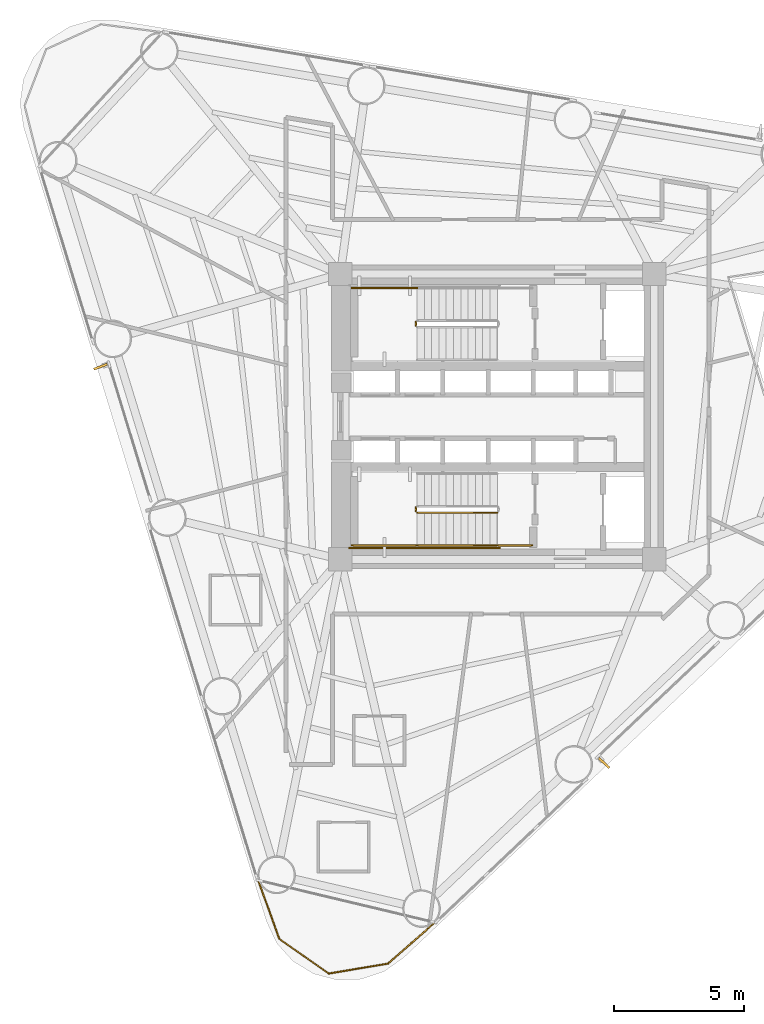
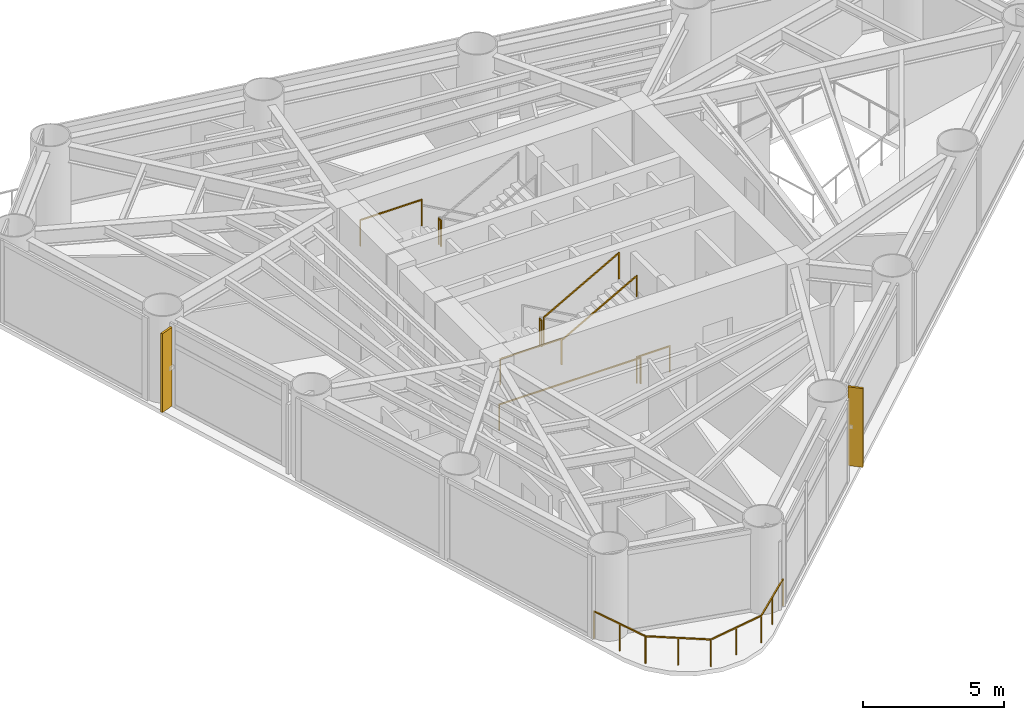
# One storey, part 8 of 10: 9 railings, 2 shading devices.
"""IFC4 building model written with IfcOpenShell, lengths in metres."""

from ifc_helpers import new_model, si_unit, direction, frame, origin, origin_2d, place, context, subcontext, project, spatial, rectangle, extrude, source, transform, mapped, material, material_profile, profile_set, type_object, element, save


model = new_model("IFC4")

# Units and contexts
model_context = context("Model", 3, precision=1e-05, world=origin(), true_north=direction((0.0, 1.0)))
body_context = subcontext(model_context, "Body", "Model", "MODEL_VIEW")
ifc_project = project(units=[si_unit("LENGTHUNIT", "METRE"), si_unit("AREAUNIT", "SQUARE_METRE"), si_unit("VOLUMEUNIT", "CUBIC_METRE"), si_unit("PLANEANGLEUNIT", "RADIAN"), si_unit("MASSUNIT", "GRAM", prefix="KILO")], contexts=[model_context])

# Site, building, storey
site_placement = place(None, origin())
site = spatial("IfcSite", under=ifc_project, at=site_placement, CompositionType="ELEMENT")
building_placement = place(site_placement, origin())
building = spatial("IfcBuilding", under=site, at=building_placement, Name="Yunling Apex Tower", CompositionType="ELEMENT")
storey_placement = place(building_placement, frame((0.0, 0.0, 116.14990234375)))
storey = spatial("IfcBuildingStorey", under=building, at=storey_placement, Name="L29", CompositionType="ELEMENT", Elevation=116.14990234375)

# Railings
ifc_material_1 = material(Name="Bronze anodised aluminium", Category="aluminium")
railing_type_1 = type_object("IfcRailingType", Name="RL-BAL-1200", PredefinedType="BALUSTRADE", material=ifc_material_1)
railing_1_placement = place(storey_placement, frame((-2.412353515625, -19.497314453125, 0.0)))
element("IfcRailing", 1, at=railing_1_placement, inside=storey, type_object=railing_type_1, Name="RL-CRNSILL-L29-3", PredefinedType="BALUSTRADE", context=body_context, shape_type="SweptSolid", body=[
    extrude(rectangle(XDim=0.0439453125, YDim=0.0439453125, at=origin_2d()), origin(), (0.0, 0.0, 1.0), 1.199951171875),
    extrude(rectangle(XDim=0.0439453125, YDim=0.0439453125, at=origin_2d()), frame((-1.796630859375, -1.580078125, 0.0)), (0.0, 0.0, 1.0), 1.199951171875),
    extrude(rectangle(XDim=0.050048828125, YDim=0.050048828125, at=origin_2d()), frame((-0.02880859375, -0.025390625, 1.1748046875), z_axis=(-0.750911858274, -0.660402438748, 0.0), x_axis=(0.660402438748, -0.750911858274, 0.0)), (0.0, 0.0, 1.0), 2.31591796875),
    extrude(rectangle(XDim=0.0439453125, YDim=0.0439453125, at=origin_2d()), frame((-0.8984375, -0.7900390625, 0.0)), (0.0, 0.0, 1.0), 1.14599609375),
    extrude(rectangle(XDim=0.0439453125, YDim=0.0439453125, at=origin_2d()), frame((-4.085205078125, -1.96484375, 0.0)), (0.0, 0.0, 1.0), 1.199951171875),
    extrude(rectangle(XDim=0.050048828125, YDim=0.050048828125, at=origin_2d()), frame((-1.83447265625, -1.58642578125, 1.1748046875), z_axis=(-0.986159782391, -0.165797718908, 0.0), x_axis=(0.165797718908, -0.986159782391, 0.0)), (0.0, 0.0, 1.0), 2.244140625),
    extrude(rectangle(XDim=0.0439453125, YDim=0.0439453125, at=origin_2d()), frame((-2.94091796875, -1.7724609375, 0.0)), (0.0, 0.0, 1.0), 1.14599609375),
    extrude(rectangle(XDim=0.0439453125, YDim=0.0439453125, at=origin_2d()), frame((-5.991943359375, -0.62890625, 0.0)), (0.0, 0.0, 1.0), 1.199951171875),
    extrude(rectangle(XDim=0.050048828125, YDim=0.050048828125, at=origin_2d()), frame((-4.11669921875, -1.94287109375, 1.1748046875), z_axis=(-0.818985520809, 0.573814183081, 0.0), x_axis=(-0.573814183081, -0.818985520809, 0.0)), (0.0, 0.0, 1.0), 2.25146484375),
    extrude(rectangle(XDim=0.0439453125, YDim=0.0439453125, at=origin_2d()), frame((-5.03857421875, -1.296875, 0.0)), (0.0, 0.0, 1.0), 1.14599609375),
    extrude(rectangle(XDim=0.0439453125, YDim=0.0439453125, at=origin_2d()), frame((-6.80224609375, 1.62158203125, 0.0)), (0.0, 0.0, 1.0), 1.199951171875),
    extrude(rectangle(XDim=0.050048828125, YDim=0.050048828125, at=origin_2d()), frame((-6.0048828125, -0.5927734375, 1.1748046875), z_axis=(-0.338766454211, 0.940870495606, 0.0), x_axis=(-0.940870495606, -0.338766454211, 0.0)), (0.0, 0.0, 1.0), 2.315185546875),
    extrude(rectangle(XDim=0.0439453125, YDim=0.0439453125, at=origin_2d()), frame((-6.39697265625, 0.496337890625, 0.0)), (0.0, 0.0, 1.0), 1.14599609375),
])
ifc_material_2 = material(Name="Steel Q355B", Category="steel")
railing_type_2 = type_object("IfcRailingType", Name="RL-GRD-1150", PredefinedType="GUARDRAIL", material=ifc_material_2)
railing_2_placement = place(storey_placement, frame((-3.139892578125, 3.64990234375, 1.875)))
element("IfcRailing", 2, at=railing_2_placement, inside=storey, type_object=railing_type_2, Name="L29 ST-1 stair guard 2", PredefinedType="GUARDRAIL", context=body_context, shape_type="SweptSolid", body=[
    extrude(rectangle(XDim=0.0439453125, YDim=0.0439453125, at=origin_2d()), origin(), (0.0, 0.0, 1.0), 1.14990234375),
    extrude(rectangle(XDim=0.0439453125, YDim=0.0439453125, at=origin_2d()), frame((0.0, -0.14990234375, 0.0)), (0.0, 0.0, 1.0), 1.14990234375),
    extrude(rectangle(XDim=0.050048828125, YDim=0.050048828125, at=origin_2d()), frame((0.0, -0.038330078125, 1.125), z_axis=(0.0, -1.0, 0.0), x_axis=(1.0, 0.0, 0.0)), (0.0, 0.0, 1.0), 0.0732421875),
])
railing_3_placement = place(storey_placement, frame((-3.090087890625, 4.9599609375, 1.875)))
element("IfcRailing", 3, at=railing_3_placement, inside=storey, type_object=railing_type_2, Name="L29 ST-1 stair guard 3", PredefinedType="GUARDRAIL", context=body_context, shape_type="SweptSolid", body=[
    extrude(rectangle(XDim=0.0439453125, YDim=0.0439453125, at=origin_2d()), origin(), (0.0, 0.0, 1.0), 1.14990234375),
    extrude(rectangle(XDim=0.0439453125, YDim=0.0439453125, at=origin_2d()), frame((-2.510009765625, 0.0, 0.0)), (0.0, 0.0, 1.0), 1.14990234375),
    extrude(rectangle(XDim=0.050048828125, YDim=0.050048828125, at=origin_2d()), frame((-0.038330078125, 0.0, 1.125), z_axis=(-1.0, 0.0, 0.0), x_axis=(0.0, -1.0, 0.0)), (0.0, 0.0, 1.0), 2.433349609375),
])
railing_4_placement = place(storey_placement, frame((-3.139892578125, -3.5, 1.875)))
element("IfcRailing", 4, at=railing_4_placement, inside=storey, type_object=railing_type_2, Name="L29 ST-2 stair guard 2", PredefinedType="GUARDRAIL", context=body_context, shape_type="SweptSolid", body=[
    extrude(rectangle(XDim=0.0439453125, YDim=0.0439453125, at=origin_2d()), origin(), (0.0, 0.0, 1.0), 1.14990234375),
    extrude(rectangle(XDim=0.0439453125, YDim=0.0439453125, at=origin_2d()), frame((0.0, -0.14990234375, 0.0)), (0.0, 0.0, 1.0), 1.14990234375),
    extrude(rectangle(XDim=0.050048828125, YDim=0.050048828125, at=origin_2d()), frame((0.0, -0.038330078125, 1.125), z_axis=(0.0, -1.0, 0.0), x_axis=(1.0, 0.0, 0.0)), (0.0, 0.0, 1.0), 0.0732421875),
])
railing_5_placement = place(storey_placement, frame((-3.090087890625, -4.9599609375, 1.875)))
element("IfcRailing", 5, at=railing_5_placement, inside=storey, type_object=railing_type_2, Name="L29 ST-2 stair guard 3", PredefinedType="GUARDRAIL", context=body_context, shape_type="SweptSolid", body=[
    extrude(rectangle(XDim=0.0439453125, YDim=0.0439453125, at=origin_2d()), origin(), (0.0, 0.0, 1.0), 1.14990234375),
    extrude(rectangle(XDim=0.0439453125, YDim=0.0439453125, at=origin_2d()), frame((-2.510009765625, 0.0, 0.0)), (0.0, 0.0, 1.0), 1.14990234375),
    extrude(rectangle(XDim=0.050048828125, YDim=0.050048828125, at=origin_2d()), frame((-0.038330078125, 0.0, 1.125), z_axis=(-1.0, 0.0, 0.0), x_axis=(0.0, -1.0, 0.0)), (0.0, 0.0, 1.0), 2.433349609375),
])
railing_6_placement = place(storey_placement, frame((-3.090087890625, -3.699951171875, 2.03125)))
element("IfcRailing", 6, at=railing_6_placement, inside=storey, type_object=railing_type_2, Name="L29 ST-2 stair guard 4", PredefinedType="GUARDRAIL", context=body_context, shape_type="SweptSolid", body=[
    extrude(rectangle(XDim=0.0439453125, YDim=0.0439453125, at=origin_2d()), origin(), (0.0, 0.0, 1.0), 1.14990234375),
    extrude(rectangle(XDim=0.0439453125, YDim=0.0439453125, at=origin_2d()), frame((3.080078125, 0.0, 1.71875)), (0.0, 0.0, 1.0), 1.14990234375),
    extrude(rectangle(XDim=0.050048828125, YDim=0.050048828125, at=origin_2d()), frame((0.033447265625, 0.0, 1.1435546875), z_axis=(0.873241540666, 0.0, 0.487287606713), x_axis=(0.0, 1.0, 0.0)), (0.0, 0.0, 1.0), 3.450439453125),
])
railing_7_placement = place(storey_placement, frame((1.35009765625, -4.9599609375, 0.0)))
element("IfcRailing", 7, at=railing_7_placement, inside=storey, type_object=railing_type_2, Name="L29 ST-2 stair guard 6", PredefinedType="GUARDRAIL", context=body_context, shape_type="SweptSolid", body=[
    extrude(rectangle(XDim=0.0439453125, YDim=0.0439453125, at=origin_2d()), origin(), (0.0, 0.0, 1.0), 1.14990234375),
    extrude(rectangle(XDim=0.0439453125, YDim=0.0439453125, at=origin_2d()), frame((-1.360107421875, 0.0, 0.0)), (0.0, 0.0, 1.0), 1.14990234375),
    extrude(rectangle(XDim=0.050048828125, YDim=0.050048828125, at=origin_2d()), frame((-0.038330078125, 0.0, 1.125), z_axis=(-1.0, 0.0, 0.0), x_axis=(0.0, -1.0, 0.0)), (0.0, 0.0, 1.0), 1.283447265625),
])
railing_8_placement = place(storey_placement, frame((0.090087890625, -5.06005859375, 0.0)))
element("IfcRailing", 8, at=railing_8_placement, inside=storey, type_object=railing_type_2, Name="L29 ST-2 stair guard 7", PredefinedType="GUARDRAIL", context=body_context, shape_type="SweptSolid", body=[
    extrude(rectangle(XDim=0.0439453125, YDim=0.0439453125, at=origin_2d()), origin(), (0.0, 0.0, 1.0), 1.14990234375),
    extrude(rectangle(XDim=0.0439453125, YDim=0.0439453125, at=origin_2d()), frame((-5.7900390625, 0.0, 0.0)), (0.0, 0.0, 1.0), 1.14990234375),
    extrude(rectangle(XDim=0.050048828125, YDim=0.050048828125, at=origin_2d()), frame((-0.038330078125, 0.0, 1.125), z_axis=(-1.0, 0.0, 0.0), x_axis=(0.0, -1.0, 0.0)), (0.0, 0.0, 1.0), 5.71337890625),
])
ifc_material_3 = material(Name="Silver anodised aluminium", Category="aluminium")
railing_type_3 = type_object("IfcRailingType", Name="RL-HND-900", PredefinedType="HANDRAIL", material=ifc_material_3)
railing_9_placement = place(storey_placement, frame((-3.090087890625, -4.9599609375, 2.03125)))
element("IfcRailing", 9, at=railing_9_placement, inside=storey, type_object=railing_type_3, Name="L29 ST-2 stair handrail 2", PredefinedType="HANDRAIL", context=body_context, shape_type="SweptSolid", body=[
    extrude(rectangle(XDim=0.0439453125, YDim=0.0439453125, at=origin_2d()), origin(), (0.0, 0.0, 1.0), 0.919921875),
    extrude(rectangle(XDim=0.0439453125, YDim=0.0439453125, at=origin_2d()), frame((3.080078125, 0.0, 1.71875)), (0.0, 0.0, 1.0), 0.919921875),
    extrude(rectangle(XDim=0.050048828125, YDim=0.050048828125, at=origin_2d()), frame((0.033447265625, 0.0, 0.91357421875), z_axis=(0.873241540666, 0.0, 0.487287606713), x_axis=(0.0, 1.0, 0.0)), (0.0, 0.0, 1.0), 3.450439453125),
])

# Shading devices
ifc_material_profile = material_profile(ifc_material_1, rectangle(XDim=0.0849609375, YDim=0.550048828125, at=origin_2d()))
ifc_profile_set = profile_set([ifc_material_profile], Name="Bronze anodised aluminium")
shading_device_type = type_object("IfcShadingDeviceType", Name="FN-BRZ-3", PredefinedType="USERDEFINED", material=ifc_profile_set)
shared_shape = source(origin(), body_context, "Body", "SweptSolid", [
    extrude(rectangle(XDim=0.0849609375, YDim=0.550048828125, at=origin_2d()), origin(), (0.0, 0.0, 1.0), 3.409912109375),
])
for number, where, z_axis, x_axis, name in (
    (10, (4.11376953125, -13.347412109375, 0.06005859375), (0.0, 0.0, 1.0), (0.679313233894, 0.733848438205, 0.0), "CW-L29-F1-B2-FIN-01"),
    (11, (-15.29443359375, 1.92529296875, 0.06005859375), (0.0, 0.0, 1.0), (0.354291037998, -0.935135209686, 0.0), "CW-L29-F3-B2-FIN-01"),
):
    element("IfcShadingDevice", number, at=place(storey_placement, frame(where, z_axis=z_axis, x_axis=x_axis)), inside=storey, type_object=shading_device_type, Name=name, ObjectType="FIN", PredefinedType="USERDEFINED", context=body_context, shape_type="MappedRepresentation", body=[
        mapped(shared_shape, transform((0.0, 0.0, 0.0), scale=1.0)),
    ])

save(model, "model.ifc")
